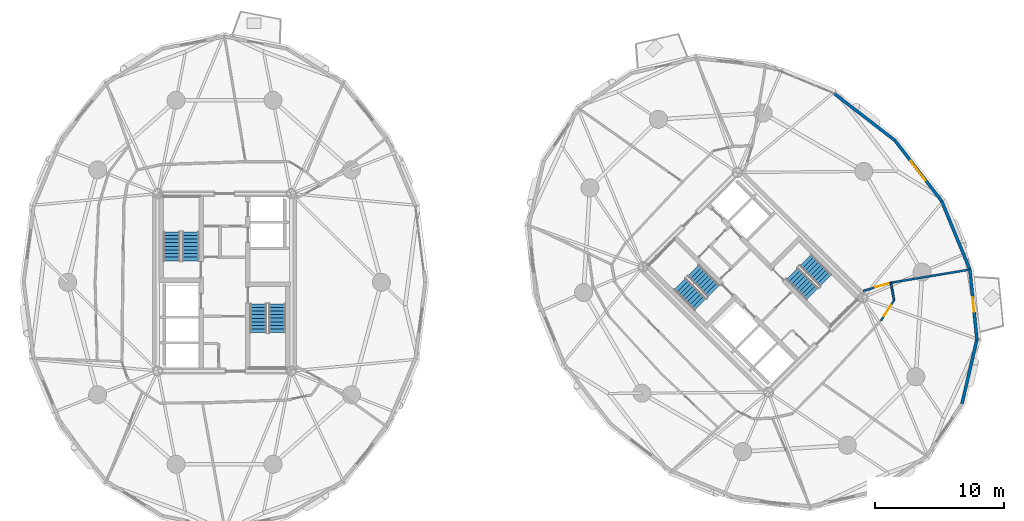
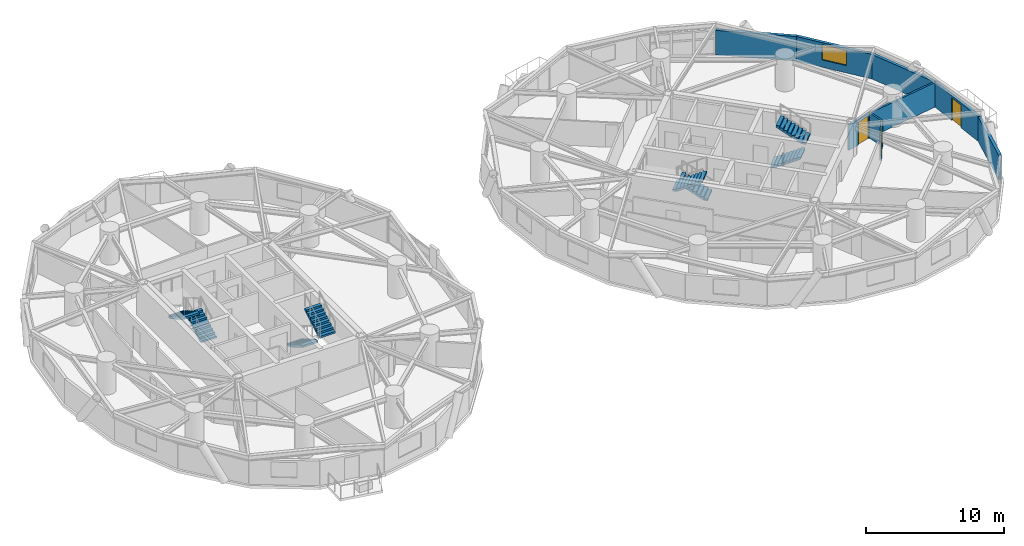
# One storey, part 14 of 17: 9 walls, 8 stair flights, 3 doors, 1 window, 4 openings, 4 elements without a shape of their own.
"""IFC4 building model written with IfcOpenShell, lengths in metres."""

from ifc_helpers import new_model, si_unit, direction, frame, frame_2d, origin, place, context, subcontext, project, spatial, polyline, rectangle, outline, extrude, source, transform, mapped, material, layer, layer_set, type_object, element, fill, aggregate, save


model = new_model("IFC4")

# Units and contexts
model_context = context("Model", 3, precision=1e-05, world=origin(), true_north=direction((0.0, 1.0)))
body_context = subcontext(model_context, "Body", "Model", "MODEL_VIEW")
ifc_project = project(units=[si_unit("LENGTHUNIT", "METRE"), si_unit("AREAUNIT", "SQUARE_METRE"), si_unit("VOLUMEUNIT", "CUBIC_METRE"), si_unit("PLANEANGLEUNIT", "RADIAN"), si_unit("MASSUNIT", "GRAM", prefix="KILO")], contexts=[model_context])

# Site, building, storey
site_placement = place(None, origin())
site = spatial("IfcSite", under=ifc_project, at=site_placement, CompositionType="ELEMENT")
building_placement = place(site_placement, origin())
building = spatial("IfcBuilding", under=site, at=building_placement, Name="Cununo Teusaquillo Station Towers", CompositionType="ELEMENT")
storey_placement = place(building_placement, frame((0.0, 0.0, 113.800048828125)))
storey = spatial("IfcBuildingStorey", under=building, at=storey_placement, Name="L36", CompositionType="ELEMENT", Elevation=113.800048828125)

# Walls
ifc_material_1 = material(Name="Precast concrete C40/50", Category="concrete")
ifc_layer_1 = layer(ifc_material_1, 0.239990234375)
ifc_layer_set_1 = layer_set([ifc_layer_1], Name="Precast concrete C40/50")
wall_type_1 = type_object("IfcWallType", Name="WL-EXT-240", PredefinedType="SOLIDWALL", material=ifc_layer_set_1)
wall_1_placement = place(storey_placement, frame((63.811279296875, 39.145263671875, 0.0), z_axis=(0.0, 0.0, 1.0), x_axis=(0.791982052206, -0.61054437102, 0.0)))
element("IfcWall", 1, at=wall_1_placement, inside=storey, type_object=wall_type_1, Name="L36 Tower B Exterior Facade Wall C00", PredefinedType="SOLIDWALL", context=body_context, shape_type="SweptSolid", body=[
    extrude(rectangle(XDim=5.942138671875, YDim=0.239990234375, at=frame_2d((2.97119140625, 0.0))), origin(), (0.0, 0.0, 1.0), 2.178955078125),
])
wall_2_placement = place(storey_placement, frame((74.885009765625, 20.066650390625, 0.0), z_axis=(0.0, 0.0, 1.0), x_axis=(-0.225834725257, -0.974165631126, 0.0)))
element("IfcWall", 2, at=wall_2_placement, inside=storey, type_object=wall_type_1, Name="L36 Tower B Exterior Facade Wall C16", PredefinedType="SOLIDWALL", context=body_context, shape_type="SweptSolid", body=[
    extrude(rectangle(XDim=5.118896484375, YDim=0.239990234375, at=frame_2d((2.5595703125, 0.0))), origin(), (0.0, 0.0, 1.0), 2.178955078125),
])

# Wall, opening, door
wall_3_placement = place(storey_placement, frame((74.33935546875, 25.4873046875, 0.0), z_axis=(0.0, 0.0, 1.0), x_axis=(0.10015591906, -0.994971754311, 0.0)))
wall_3 = element("IfcWall", 3, at=wall_3_placement, inside=storey, type_object=wall_type_1, Name="L36 Tower B Exterior Facade Wall C17", PredefinedType="SOLIDWALL", context=body_context, shape_type="SweptSolid", body=[
    extrude(rectangle(XDim=5.447998046875, YDim=0.239990234375, at=frame_2d((2.72412109375, 0.0))), origin(), (0.0, 0.0, 1.0), 2.178955078125),
])
shared_shape_1 = source(origin(), body_context, "Body", "SweptSolid", [
    extrude(rectangle(XDim=1.14990234375, YDim=2.0048828125, at=frame_2d((0.574951171875, 1.00244140625))), frame((0.0, 0.1298828125, 0.0), z_axis=(0.0, -1.0, 0.0), x_axis=(1.0, 0.0, 0.0)), (0.0, 0.0, 1.0), 0.260009765625),
])
opening_1_placement = place(wall_3_placement, frame((2.14892578125, 0.0, 0.0)))
opening_1 = element("IfcOpeningElement", 4, at=opening_1_placement, cuts=wall_3, Name="Opening ED-03", PredefinedType="OPENING", context=body_context, shape_type="MappedRepresentation", body=[
    mapped(shared_shape_1, transform((0.0, 0.0, 0.0), x_axis=(1.0, 0.0, 0.0), y_axis=(0.0, 1.0, 0.0), z_axis=(0.0, 0.0, 1.0), scale=1.0)),
])
ifc_material_2 = material(Name="Anodised dark bronze aluminium EN AW-6063-T6", Category="aluminium")
door_type_1 = type_object("IfcDoorType", Name="DR-EXT-BAL", OperationType="NOTDEFINED", PredefinedType="DOOR", material=ifc_material_2)
shared_shape_2 = source(origin(), body_context, "Body", "SweptSolid", [
    extrude(rectangle(XDim=1.14990234375, YDim=2.0048828125, at=frame_2d((0.574951171875, 1.00244140625))), frame((0.0, 0.02490234375, 0.0), z_axis=(0.0, -1.0, 0.0), x_axis=(1.0, 0.0, 0.0)), (0.0, 0.0, 1.0), 0.050048828125),
])
door_1_placement = place(opening_1_placement, origin())
door_1 = element("IfcDoor", 5, at=door_1_placement, inside=storey, type_object=door_type_1, Name="L36 Tower B Tree Balcony Door C17", OperationType="SINGLE_SWING_LEFT", OverallHeight=2.0048828125, OverallWidth=1.14990234375, PredefinedType="DOOR", context=body_context, shape_type="MappedRepresentation", body=[
    mapped(shared_shape_2, transform((0.0, 0.0, 0.0), x_axis=(1.0, 0.0, 0.0), y_axis=(0.0, 1.0, 0.0), z_axis=(0.0, 0.0, 1.0), scale=1.0)),
])
fill(opening_1, door_1)

# Wall
wall_4_placement = place(storey_placement, frame((72.145263671875, 30.811279296875, 0.0), z_axis=(0.0, 0.0, 1.0), x_axis=(0.381027003055, -0.924563909604, 0.0)))
element("IfcWall", 6, at=wall_4_placement, inside=storey, type_object=wall_type_1, Name="L36 Tower B Exterior Facade Wall C18", PredefinedType="SOLIDWALL", context=body_context, shape_type="SweptSolid", body=[
    extrude(rectangle(XDim=5.75830078125, YDim=0.239990234375, at=frame_2d((2.879150390625, 0.0))), origin(), (0.0, 0.0, 1.0), 2.178955078125),
])

# Wall, opening, window
wall_5_placement = place(storey_placement, frame((68.517333984375, 35.517333984375, 0.0), z_axis=(0.0, 0.0, 1.0), x_axis=(0.61054437102, -0.791982052206, 0.0)))
wall_5 = element("IfcWall", 7, at=wall_5_placement, inside=storey, type_object=wall_type_1, Name="L36 Tower B Exterior Facade Wall C19", PredefinedType="SOLIDWALL", context=body_context, shape_type="SweptSolid", body=[
    extrude(rectangle(XDim=5.942138671875, YDim=0.239990234375, at=frame_2d((2.97119140625, 0.0))), origin(), (0.0, 0.0, 1.0), 2.178955078125),
])
shared_shape_3 = source(origin(), body_context, "Body", "SweptSolid", [
    extrude(rectangle(XDim=1.89990234375, YDim=1.35009765625, at=frame_2d((0.949951171875, 0.675048828125))), frame((0.0, 0.1298828125, 0.0), z_axis=(0.0, -1.0, 0.0), x_axis=(1.0, 0.0, 0.0)), (0.0, 0.0, 1.0), 0.260009765625),
])
opening_2_placement = place(wall_5_placement, frame((2.02099609375, 0.0, 0.64990234375)))
opening_2 = element("IfcOpeningElement", 8, at=opening_2_placement, cuts=wall_5, Name="Opening WN-02", PredefinedType="OPENING", context=body_context, shape_type="MappedRepresentation", body=[
    mapped(shared_shape_3, transform((0.0, 0.0, 0.0), x_axis=(1.0, 0.0, 0.0), y_axis=(0.0, 1.0, 0.0), z_axis=(0.0, 0.0, 1.0), scale=1.0)),
])
ifc_material_3 = material(Name="Operable acoustic tinted low-E double glazing", Category="glass")
window_type = type_object("IfcWindowType", Name="WIN-OPER-1900", PartitioningType="DOUBLE_PANEL_VERTICAL", PredefinedType="WINDOW", material=ifc_material_3)
shared_shape_4 = source(origin(), body_context, "Body", "SweptSolid", [
    extrude(rectangle(XDim=1.89990234375, YDim=1.35009765625, at=frame_2d((0.949951171875, 0.675048828125))), frame((0.0, 0.030029296875, 0.0), z_axis=(0.0, -1.0, 0.0), x_axis=(1.0, 0.0, 0.0)), (0.0, 0.0, 1.0), 0.06005859375),
])
window_placement = place(opening_2_placement, origin())
window = element("IfcWindow", 9, at=window_placement, inside=storey, type_object=window_type, Name="L36 Tower B Facade Window C19", OverallHeight=1.35009765625, OverallWidth=1.89990234375, PartitioningType="DOUBLE_PANEL_VERTICAL", PredefinedType="WINDOW", context=body_context, shape_type="MappedRepresentation", body=[
    mapped(shared_shape_4, transform((0.0, 0.0, 0.0), x_axis=(1.0, 0.0, 0.0), y_axis=(0.0, 1.0, 0.0), z_axis=(0.0, 0.0, 1.0), scale=1.0)),
])
fill(opening_2, window)

# Wall, opening, door
ifc_material_4 = material(Name="Fire-rated gypsum plasterboard partition assembly", Category="gypsum")
ifc_layer_2 = layer(ifc_material_4, 0.14990234375)
ifc_layer_set_2 = layer_set([ifc_layer_2], Name="Fire-rated gypsum plasterboard partition assembly")
wall_type_2 = type_object("IfcWallType", Name="WL-PART-150", PredefinedType="PARTITIONING", material=ifc_layer_set_2)
wall_6_placement = place(storey_placement, frame((67.4345703125, 21.521484375, 0.0), z_axis=(0.0, 0.0, 1.0), x_axis=(0.540777197838, 0.841165870859, 0.0)))
wall_6 = element("IfcWall", 10, at=wall_6_placement, inside=storey, type_object=wall_type_2, Name="L36 Tower B Corridor Ring Wall C16", PredefinedType="PARTITIONING", context=body_context, shape_type="SweptSolid", body=[
    extrude(rectangle(XDim=1.887939453125, YDim=0.14990234375, at=frame_2d((0.94384765625, 0.0))), origin(), (0.0, 0.0, 1.0), 2.224853515625),
])
shared_shape_5 = source(origin(), body_context, "Body", "SweptSolid", [
    extrude(rectangle(XDim=1.0, YDim=2.014892578125, at=frame_2d((0.5, 1.00732421875))), frame((0.0, 0.0849609375, 0.0), z_axis=(0.0, -1.0, 0.0), x_axis=(1.0, 0.0, 0.0)), (0.0, 0.0, 1.0), 0.169921875),
])
opening_3_placement = place(wall_6_placement, frame((0.44384765625, 0.0, 0.0)))
opening_3 = element("IfcOpeningElement", 11, at=opening_3_placement, cuts=wall_6, Name="Opening D-AC1", PredefinedType="OPENING", context=body_context, shape_type="MappedRepresentation", body=[
    mapped(shared_shape_5, transform((0.0, 0.0, 0.0), x_axis=(1.0, 0.0, 0.0), y_axis=(0.0, 1.0, 0.0), z_axis=(0.0, 0.0, 1.0), scale=1.0)),
])
ifc_material_5 = material(Name="Acoustic solid-core hardwood leaf assembly", Category="wood")
door_type_2 = type_object("IfcDoorType", Name="DR-ACC-1000", OperationType="NOTDEFINED", PredefinedType="DOOR", material=ifc_material_5)
shared_shape_6 = source(origin(), body_context, "Body", "SweptSolid", [
    extrude(rectangle(XDim=1.0, YDim=2.014892578125, at=frame_2d((0.5, 1.00732421875))), frame((0.0, 0.02490234375, 0.0), z_axis=(0.0, -1.0, 0.0), x_axis=(1.0, 0.0, 0.0)), (0.0, 0.0, 1.0), 0.050048828125),
])
door_2_placement = place(opening_3_placement, origin())
door_2 = element("IfcDoor", 12, at=door_2_placement, inside=storey, type_object=door_type_2, Name="L36 Tower B Public Accessible Restroom WC Entrance Door", OperationType="SINGLE_SWING_LEFT", OverallHeight=2.014892578125, OverallWidth=1.0, PredefinedType="DOOR", context=body_context, shape_type="MappedRepresentation", body=[
    mapped(shared_shape_6, transform((0.0, 0.0, 0.0), x_axis=(1.0, 0.0, 0.0), y_axis=(0.0, 1.0, 0.0), z_axis=(0.0, 0.0, 1.0), scale=1.0)),
])
fill(opening_3, door_2)

# Walls
wall_7_placement = place(storey_placement, frame((68.45556640625, 23.109619140625, 0.0), z_axis=(0.0, 0.0, 1.0), x_axis=(-0.1772522795, 0.984165448191, 0.0)))
element("IfcWall", 13, at=wall_7_placement, inside=storey, type_object=wall_type_2, Name="L36 Tower B Corridor Ring Wall C17", PredefinedType="PARTITIONING", context=body_context, shape_type="SweptSolid", body=[
    extrude(rectangle(XDim=1.381591796875, YDim=0.14990234375, at=frame_2d((0.69091796875, 0.0))), origin(), (0.0, 0.0, 1.0), 2.224853515625),
])
ifc_material_6 = material(Name="Fire-rated gypsum plasterboard partition assembly", Category="gypsum")
ifc_layer_3 = layer(ifc_material_6, 0.159912109375)
ifc_layer_set_3 = layer_set([ifc_layer_3], Name="Fire-rated gypsum plasterboard partition assembly")
wall_type_3 = type_object("IfcWallType", Name="WL-PART-160", PredefinedType="PARTITIONING", material=ifc_layer_set_3)
wall_8_placement = place(storey_placement, frame((68.210693359375, 24.46923828125, 0.0), z_axis=(0.0, 0.0, 1.0), x_axis=(0.986479033329, 0.163887512651, 0.0)))
element("IfcWall", 14, at=wall_8_placement, inside=storey, type_object=wall_type_3, Name="L36 Tower B Radial Suite Partition R06", PredefinedType="PARTITIONING", context=body_context, shape_type="SweptSolid", body=[
    extrude(rectangle(XDim=6.192626953125, YDim=0.159912109375, at=frame_2d((3.09619140625, 0.0))), origin(), (0.0, 0.0, 1.0), 2.178955078125),
])

# Wall, opening, door
wall_9_placement = place(storey_placement, frame((66.055908203125, 23.828125, 0.0), z_axis=(0.0, 0.0, 1.0), x_axis=(0.958475403544, 0.285175210708, 0.0)))
wall_9 = element("IfcWall", 15, at=wall_9_placement, inside=storey, type_object=wall_type_3, Name="L36 Tower B East Salon Corridor Portal Wall SE", PredefinedType="PARTITIONING", context=body_context, shape_type="SweptSolid", body=[
    extrude(rectangle(XDim=2.248046875, YDim=0.159912109375, at=frame_2d((1.1240234375, 0.0))), origin(), (0.0, 0.0, 1.0), 2.224853515625),
])
shared_shape_7 = source(origin(), body_context, "Body", "SweptSolid", [
    extrude(rectangle(XDim=1.050048828125, YDim=2.014892578125, at=frame_2d((0.52490234375, 1.00732421875))), frame((0.0, 0.08984375, 0.0), z_axis=(0.0, -1.0, 0.0), x_axis=(1.0, 0.0, 0.0)), (0.0, 0.0, 1.0), 0.179931640625),
])
opening_4_placement = place(wall_9_placement, frame((0.998046875, 0.0, 0.0)))
opening_4 = element("IfcOpeningElement", 16, at=opening_4_placement, cuts=wall_9, Name="Opening D-SU1", PredefinedType="OPENING", context=body_context, shape_type="MappedRepresentation", body=[
    mapped(shared_shape_7, transform((0.0, 0.0, 0.0), x_axis=(1.0, 0.0, 0.0), y_axis=(0.0, 1.0, 0.0), z_axis=(0.0, 0.0, 1.0), scale=1.0)),
])
ifc_material_7 = material(Name="Acoustic solid-core hardwood leaf assembly", Category="wood")
door_type_3 = type_object("IfcDoorType", Name="DR-SUITE-1050", OperationType="NOTDEFINED", PredefinedType="DOOR", material=ifc_material_7)
shared_shape_8 = source(origin(), body_context, "Body", "SweptSolid", [
    extrude(rectangle(XDim=1.050048828125, YDim=2.014892578125, at=frame_2d((0.52490234375, 1.00732421875))), frame((0.0, 0.02490234375, 0.0), z_axis=(0.0, -1.0, 0.0), x_axis=(1.0, 0.0, 0.0)), (0.0, 0.0, 1.0), 0.050048828125),
])
door_3_placement = place(opening_4_placement, origin())
door_3 = element("IfcDoor", 17, at=door_3_placement, inside=storey, type_object=door_type_3, Name="L36 Tower B East Panorama Sky Salon Door SE", OperationType="SINGLE_SWING_RIGHT", OverallHeight=2.014892578125, OverallWidth=1.050048828125, PredefinedType="DOOR", context=body_context, shape_type="MappedRepresentation", body=[
    mapped(shared_shape_8, transform((0.0, 0.0, 0.0), x_axis=(1.0, 0.0, 0.0), y_axis=(0.0, 1.0, 0.0), z_axis=(0.0, 0.0, 1.0), scale=1.0)),
])
fill(opening_4, door_3)

# Stair, stair flights
ifc_material_8 = material(Name="Concrete C50/60", Category="concrete")
stair_type = type_object("IfcStairType", Name="ST-TWR-1300", PredefinedType="HALF_TURN_STAIR", material=ifc_material_8)
stair_1_placement = place(storey_placement, origin())
stair_1 = element("IfcStair", 18, at=stair_1_placement, inside=storey, type_object=stair_type, Name="L36 Tower A Protected Core Exit Stair 1", PredefinedType="HALF_TURN_STAIR")
ifc_material_9 = material(Name="Concrete C50/60", Category="concrete")
stair_flight_type = type_object("IfcStairFlightType", Name="SFL-TWR-1300", PredefinedType="STRAIGHT", material=ifc_material_9)
stair_flight_1_placement = place(storey_placement, frame((13.8701171875, 26.169921875, 0.0), z_axis=(0.0, 0.0, 1.0), x_axis=(0.0, 1.0, 0.0)))
stair_flight_1 = element("IfcStairFlight", 19, at=stair_flight_1_placement, type_object=stair_flight_type, Name="ST-T1-1 flight 1", NumberOfRisers=9, NumberOfTreads=8, PredefinedType="STRAIGHT", RiserHeight=0.161666667, TreadLength=0.28, context=body_context, shape_type="SweptSolid", body=[
    extrude(outline(polyline([(0.0, 0.0), (0.0, 0.16162109375), (0.280029296875, 0.16162109375), (0.280029296875, 0.3232421875), (0.56005859375, 0.3232421875), (0.56005859375, 0.485107421875), (0.840087890625, 0.485107421875), (0.840087890625, 0.646728515625), (1.1201171875, 0.646728515625), (1.1201171875, 0.808349609375), (1.39990234375, 0.808349609375), (1.39990234375, 0.969970703125), (1.679931640625, 0.969970703125), (1.679931640625, 1.131591796875), (1.9599609375, 1.131591796875), (1.9599609375, 1.293212890625), (2.239990234375, 1.293212890625), (2.239990234375, 1.455078125), (2.239990234375, 1.1201171875), (0.2998046875, 0.0), (0.0, 0.0)])), frame((0.0, 0.64990234375, 0.0), z_axis=(0.0, -1.0, 0.0), x_axis=(1.0, 0.0, 0.0)), (0.0, 0.0, 1.0), 1.300048828125),
])
stair_flight_2_placement = place(storey_placement, frame((12.409912109375, 28.409912109375, 1.454833984375), z_axis=(0.0, 0.0, 1.0), x_axis=(0.0, -1.0, 0.0)))
stair_flight_2 = element("IfcStairFlight", 20, at=stair_flight_2_placement, type_object=stair_flight_type, Name="ST-T1-1 flight 2", NumberOfRisers=9, NumberOfTreads=8, PredefinedType="STRAIGHT", RiserHeight=0.161666667, TreadLength=0.28, context=body_context, shape_type="SweptSolid", body=[
    extrude(outline(polyline([(0.0, 0.0), (0.0, 0.16162109375), (0.280029296875, 0.16162109375), (0.280029296875, 0.3232421875), (0.56005859375, 0.3232421875), (0.56005859375, 0.485107421875), (0.840087890625, 0.485107421875), (0.840087890625, 0.646728515625), (1.1201171875, 0.646728515625), (1.1201171875, 0.808349609375), (1.39990234375, 0.808349609375), (1.39990234375, 0.969970703125), (1.679931640625, 0.969970703125), (1.679931640625, 1.131591796875), (1.9599609375, 1.131591796875), (1.9599609375, 1.293212890625), (2.239990234375, 1.293212890625), (2.239990234375, 1.455078125), (2.239990234375, 1.1201171875), (0.2998046875, 0.0), (0.0, 0.0)])), frame((0.0, 0.64990234375, 0.0), z_axis=(0.0, -1.0, 0.0), x_axis=(1.0, 0.0, 0.0)), (0.0, 0.0, 1.0), 1.300048828125),
])
aggregate(stair_1, [stair_flight_1, stair_flight_2])

stair_2_placement = place(storey_placement, origin())
stair_2 = element("IfcStair", 21, at=stair_2_placement, inside=storey, type_object=stair_type, Name="L36 Tower A Protected Core Exit Stair 2", PredefinedType="HALF_TURN_STAIR")
stair_flight_3_placement = place(storey_placement, frame((19.1298828125, 22.830078125, 0.0), z_axis=(0.0, 0.0, 1.0), x_axis=(0.0, -1.0, 0.0)))
stair_flight_3 = element("IfcStairFlight", 22, at=stair_flight_3_placement, type_object=stair_flight_type, Name="ST-T1-2 flight 1", NumberOfRisers=9, NumberOfTreads=8, PredefinedType="STRAIGHT", RiserHeight=0.161666667, TreadLength=0.28, context=body_context, shape_type="SweptSolid", body=[
    extrude(outline(polyline([(0.0, 0.0), (0.0, 0.16162109375), (0.280029296875, 0.16162109375), (0.280029296875, 0.3232421875), (0.56005859375, 0.3232421875), (0.56005859375, 0.485107421875), (0.840087890625, 0.485107421875), (0.840087890625, 0.646728515625), (1.1201171875, 0.646728515625), (1.1201171875, 0.808349609375), (1.39990234375, 0.808349609375), (1.39990234375, 0.969970703125), (1.679931640625, 0.969970703125), (1.679931640625, 1.131591796875), (1.9599609375, 1.131591796875), (1.9599609375, 1.293212890625), (2.239990234375, 1.293212890625), (2.239990234375, 1.455078125), (2.239990234375, 1.1201171875), (0.2998046875, 0.0), (0.0, 0.0)])), frame((0.0, 0.64990234375, 0.0), z_axis=(0.0, -1.0, 0.0), x_axis=(1.0, 0.0, 0.0)), (0.0, 0.0, 1.0), 1.300048828125),
])
stair_flight_4_placement = place(storey_placement, frame((20.590087890625, 20.590087890625, 1.454833984375), z_axis=(0.0, 0.0, 1.0), x_axis=(0.0, 1.0, 0.0)))
stair_flight_4 = element("IfcStairFlight", 23, at=stair_flight_4_placement, type_object=stair_flight_type, Name="ST-T1-2 flight 2", NumberOfRisers=9, NumberOfTreads=8, PredefinedType="STRAIGHT", RiserHeight=0.161666667, TreadLength=0.28, context=body_context, shape_type="SweptSolid", body=[
    extrude(outline(polyline([(0.0, 0.0), (0.0, 0.16162109375), (0.280029296875, 0.16162109375), (0.280029296875, 0.3232421875), (0.56005859375, 0.3232421875), (0.56005859375, 0.485107421875), (0.840087890625, 0.485107421875), (0.840087890625, 0.646728515625), (1.1201171875, 0.646728515625), (1.1201171875, 0.808349609375), (1.39990234375, 0.808349609375), (1.39990234375, 0.969970703125), (1.679931640625, 0.969970703125), (1.679931640625, 1.131591796875), (1.9599609375, 1.131591796875), (1.9599609375, 1.293212890625), (2.239990234375, 1.293212890625), (2.239990234375, 1.455078125), (2.239990234375, 1.1201171875), (0.2998046875, 0.0), (0.0, 0.0)])), frame((0.0, 0.64990234375, 0.0), z_axis=(0.0, -1.0, 0.0), x_axis=(1.0, 0.0, 0.0)), (0.0, 0.0, 1.0), 1.300048828125),
])
aggregate(stair_2, [stair_flight_3, stair_flight_4])

stair_3_placement = place(storey_placement, origin())
stair_3 = element("IfcStair", 24, at=stair_3_placement, inside=storey, type_object=stair_type, Name="L36 Tower B Protected Core Exit Stair 1", PredefinedType="HALF_TURN_STAIR")
stair_flight_5_placement = place(storey_placement, frame((54.45947265625, 23.8212890625, 0.0), z_axis=(0.0, 0.0, 1.0), x_axis=(-0.707106781187, 0.707106781187, 0.0)))
stair_flight_5 = element("IfcStairFlight", 25, at=stair_flight_5_placement, type_object=stair_flight_type, Name="ST-T2-1 flight 1", NumberOfRisers=9, NumberOfTreads=8, PredefinedType="STRAIGHT", RiserHeight=0.161666667, TreadLength=0.28, context=body_context, shape_type="SweptSolid", body=[
    extrude(outline(polyline([(0.0, 0.0), (0.0, 0.16162109375), (0.280029296875, 0.16162109375), (0.280029296875, 0.3232421875), (0.56005859375, 0.3232421875), (0.56005859375, 0.485107421875), (0.840087890625, 0.485107421875), (0.840087890625, 0.646728515625), (1.1201171875, 0.646728515625), (1.1201171875, 0.808349609375), (1.39990234375, 0.808349609375), (1.39990234375, 0.969970703125), (1.679931640625, 0.969970703125), (1.679931640625, 1.131591796875), (1.9599609375, 1.131591796875), (1.9599609375, 1.293212890625), (2.239990234375, 1.293212890625), (2.239990234375, 1.455078125), (2.239990234375, 1.1201171875), (0.2998046875, 0.0), (0.0, 0.0)])), frame((0.0, 0.64990234375, 0.0), z_axis=(0.0, -1.0, 0.0), x_axis=(1.0, 0.0, 0.0)), (0.0, 0.0, 1.0), 1.300048828125),
])
stair_flight_6_placement = place(storey_placement, frame((51.84326171875, 24.372802734375, 1.454833984375), z_axis=(0.0, 0.0, 1.0), x_axis=(0.707106781187, -0.707106781187, 0.0)))
stair_flight_6 = element("IfcStairFlight", 26, at=stair_flight_6_placement, type_object=stair_flight_type, Name="ST-T2-1 flight 2", NumberOfRisers=9, NumberOfTreads=8, PredefinedType="STRAIGHT", RiserHeight=0.161666667, TreadLength=0.28, context=body_context, shape_type="SweptSolid", body=[
    extrude(outline(polyline([(0.0, 0.0), (0.0, 0.16162109375), (0.280029296875, 0.16162109375), (0.280029296875, 0.3232421875), (0.56005859375, 0.3232421875), (0.56005859375, 0.485107421875), (0.840087890625, 0.485107421875), (0.840087890625, 0.646728515625), (1.1201171875, 0.646728515625), (1.1201171875, 0.808349609375), (1.39990234375, 0.808349609375), (1.39990234375, 0.969970703125), (1.679931640625, 0.969970703125), (1.679931640625, 1.131591796875), (1.9599609375, 1.131591796875), (1.9599609375, 1.293212890625), (2.239990234375, 1.293212890625), (2.239990234375, 1.455078125), (2.239990234375, 1.1201171875), (0.2998046875, 0.0), (0.0, 0.0)])), frame((0.0, 0.64990234375, 0.0), z_axis=(0.0, -1.0, 0.0), x_axis=(1.0, 0.0, 0.0)), (0.0, 0.0, 1.0), 1.300048828125),
])
aggregate(stair_3, [stair_flight_5, stair_flight_6])

stair_4_placement = place(storey_placement, origin())
stair_4 = element("IfcStair", 27, at=stair_4_placement, inside=storey, type_object=stair_type, Name="L36 Tower B Protected Core Exit Stair 2", PredefinedType="HALF_TURN_STAIR")
stair_flight_7_placement = place(storey_placement, frame((60.54052734375, 25.1787109375, 0.0), z_axis=(0.0, 0.0, 1.0), x_axis=(0.707106781187, -0.707106781187, 0.0)))
stair_flight_7 = element("IfcStairFlight", 28, at=stair_flight_7_placement, type_object=stair_flight_type, Name="ST-T2-2 flight 1", NumberOfRisers=9, NumberOfTreads=8, PredefinedType="STRAIGHT", RiserHeight=0.161666667, TreadLength=0.28, context=body_context, shape_type="SweptSolid", body=[
    extrude(outline(polyline([(0.0, 0.0), (0.0, 0.16162109375), (0.280029296875, 0.16162109375), (0.280029296875, 0.3232421875), (0.56005859375, 0.3232421875), (0.56005859375, 0.485107421875), (0.840087890625, 0.485107421875), (0.840087890625, 0.646728515625), (1.1201171875, 0.646728515625), (1.1201171875, 0.808349609375), (1.39990234375, 0.808349609375), (1.39990234375, 0.969970703125), (1.679931640625, 0.969970703125), (1.679931640625, 1.131591796875), (1.9599609375, 1.131591796875), (1.9599609375, 1.293212890625), (2.239990234375, 1.293212890625), (2.239990234375, 1.455078125), (2.239990234375, 1.1201171875), (0.2998046875, 0.0), (0.0, 0.0)])), frame((0.0, 0.64990234375, 0.0), z_axis=(0.0, -1.0, 0.0), x_axis=(1.0, 0.0, 0.0)), (0.0, 0.0, 1.0), 1.300048828125),
])
stair_flight_8_placement = place(storey_placement, frame((63.15673828125, 24.627197265625, 1.454833984375), z_axis=(0.0, 0.0, 1.0), x_axis=(-0.707106781187, 0.707106781187, 0.0)))
stair_flight_8 = element("IfcStairFlight", 29, at=stair_flight_8_placement, type_object=stair_flight_type, Name="ST-T2-2 flight 2", NumberOfRisers=9, NumberOfTreads=8, PredefinedType="STRAIGHT", RiserHeight=0.161666667, TreadLength=0.28, context=body_context, shape_type="SweptSolid", body=[
    extrude(outline(polyline([(0.0, 0.0), (0.0, 0.16162109375), (0.280029296875, 0.16162109375), (0.280029296875, 0.3232421875), (0.56005859375, 0.3232421875), (0.56005859375, 0.485107421875), (0.840087890625, 0.485107421875), (0.840087890625, 0.646728515625), (1.1201171875, 0.646728515625), (1.1201171875, 0.808349609375), (1.39990234375, 0.808349609375), (1.39990234375, 0.969970703125), (1.679931640625, 0.969970703125), (1.679931640625, 1.131591796875), (1.9599609375, 1.131591796875), (1.9599609375, 1.293212890625), (2.239990234375, 1.293212890625), (2.239990234375, 1.455078125), (2.239990234375, 1.1201171875), (0.2998046875, 0.0), (0.0, 0.0)])), frame((0.0, 0.64990234375, 0.0), z_axis=(0.0, -1.0, 0.0), x_axis=(1.0, 0.0, 0.0)), (0.0, 0.0, 1.0), 1.300048828125),
])
aggregate(stair_4, [stair_flight_7, stair_flight_8])

save(model, "model.ifc")
